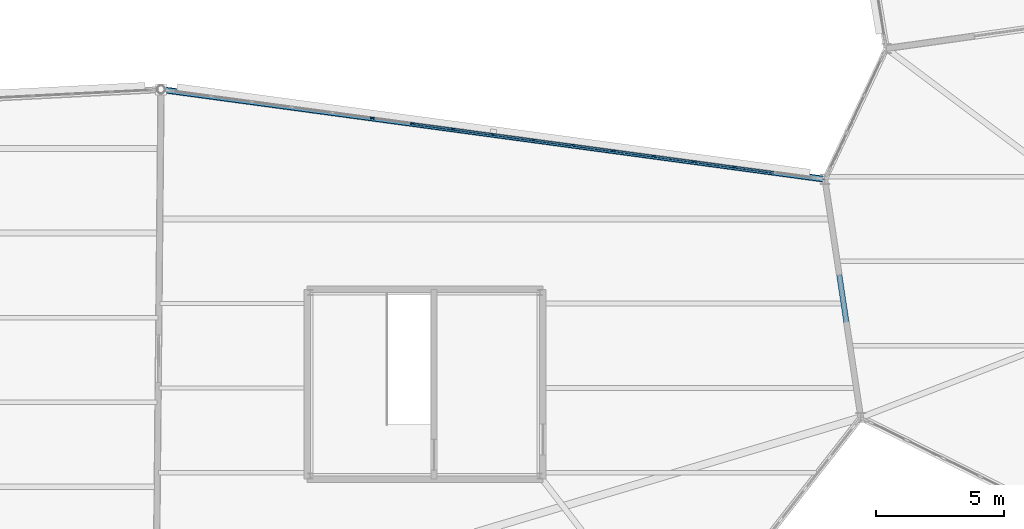
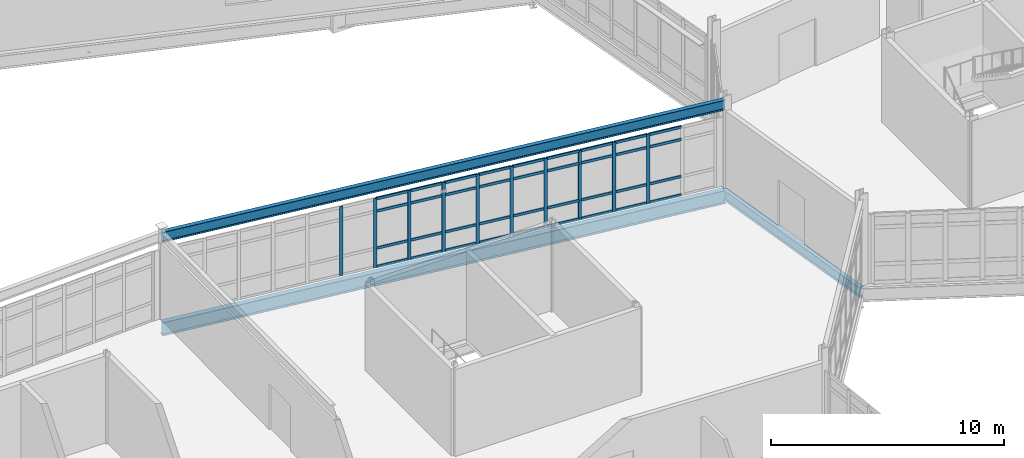
# One storey, part 34 of 134: 46 members, 3 beams, 1 element without a shape of its own.
"""IFC4 building model written with IfcOpenShell, lengths in metres."""

from ifc_helpers import new_model, si_unit, direction, frame, origin, origin_2d, place, context, subcontext, project, spatial, rectangle, i_section, extrude, material, material_profile, profile_set, type_object, element, aggregate, save


model = new_model("IFC4")

# Units and contexts
model_context = context("Model", 3, precision=1e-05, world=origin(), true_north=direction((0.0, 1.0)))
body_context = subcontext(model_context, "Body", "Model", "MODEL_VIEW")
ifc_project = project(units=[si_unit("LENGTHUNIT", "METRE"), si_unit("AREAUNIT", "SQUARE_METRE"), si_unit("VOLUMEUNIT", "CUBIC_METRE"), si_unit("PLANEANGLEUNIT", "RADIAN"), si_unit("MASSUNIT", "GRAM", prefix="KILO")], contexts=[model_context])

# Site, building, storey
site_placement = place(None, origin())
site = spatial("IfcSite", under=ifc_project, at=site_placement, CompositionType="ELEMENT")
building_placement = place(site_placement, origin())
building = spatial("IfcBuilding", under=site, at=building_placement, Name="Tameran Prism Museum", CompositionType="ELEMENT")
storey_placement = place(building_placement, frame((0.0, 0.0, 5.39990234375)))
storey = spatial("IfcBuildingStorey", under=building, at=storey_placement, Name="L01", CompositionType="ELEMENT", Elevation=5.39990234375)

# Beams
ifc_material_1 = material(Name="Steel Grade 300PLUS (300 MPa)", Category="steel")
ifc_material_profile_1 = material_profile(ifc_material_1, i_section(OverallWidth=0.208984375, OverallDepth=0.532958984375, WebThickness=0.01025390625, FlangeThickness=0.015625, FilletRadius=0.013916015625, at=origin_2d()))
ifc_profile_set_1 = profile_set([ifc_material_profile_1])
beam_type_1 = type_object("IfcBeamType", Name="BM-SP530A", PredefinedType="SPANDREL", material=ifc_profile_set_1)
beam_1_placement = place(storey_placement, frame((49.60009765625, 39.5, -0.46630859375), z_axis=(0.148849460064, -0.988859867847, 0.0), x_axis=(0.988859867847, 0.148849460064, 0.0)))
element("IfcBeam", 1, at=beam_1_placement, inside=storey, type_object=beam_type_1, Name="Perimeter Spandrel SP-0345", PredefinedType="SPANDREL", context=body_context, shape_type="SweptSolid", body=[
    extrude(i_section(OverallWidth=0.208984375, OverallDepth=0.532958984375, WebThickness=0.01025390625, FlangeThickness=0.015625, FilletRadius=0.013916015625, at=origin_2d()), origin(), (0.0, 0.0, 1.0), 9.40478515625),
])
ifc_material_2 = material(Name="Steel Grade 300PLUS (300 MPa)", Category="steel")
ifc_material_profile_2 = material_profile(ifc_material_2, i_section(OverallWidth=0.208984375, OverallDepth=0.528076171875, WebThickness=0.009521484375, FlangeThickness=0.01318359375, FilletRadius=0.013916015625, at=origin_2d()))
ifc_profile_set_2 = profile_set([ifc_material_profile_2])
beam_type_2 = type_object("IfcBeamType", Name="BM-SP530B", PredefinedType="SPANDREL", material=ifc_profile_set_2)
beam_2_placement = place(storey_placement, frame((49.60009765625, 39.5, 4.256103515625), z_axis=(-0.990992530926, 0.13391715218, 0.0), x_axis=(-0.13391715218, -0.990992530926, 0.0)))
element("IfcBeam", 2, at=beam_2_placement, inside=storey, type_object=beam_type_2, Name="Roof Ring Beam RB-0408", PredefinedType="SPANDREL", context=body_context, shape_type="SweptSolid", body=[
    extrude(i_section(OverallWidth=0.208984375, OverallDepth=0.528076171875, WebThickness=0.009521484375, FlangeThickness=0.01318359375, FilletRadius=0.013916015625, at=origin_2d()), origin(), (0.0, 0.0, 1.0), 26.135498046875),
])
ifc_material_3 = material(Name="Steel Grade 350 (350 MPa)", Category="steel")
ifc_material_profile_3 = material_profile(ifc_material_3, i_section(OverallWidth=0.25, OverallDepth=0.699951171875, WebThickness=0.010009765625, FlangeThickness=0.02001953125, at=origin_2d()))
ifc_profile_set_3 = profile_set([ifc_material_profile_3])
beam_type_3 = type_object("IfcBeamType", Name="BM-SP700", PredefinedType="SPANDREL", material=ifc_profile_set_3)
beam_3_placement = place(storey_placement, frame((49.60009765625, 39.5, -0.5498046875), z_axis=(-0.990992530926, 0.13391715218, 0.0), x_axis=(-0.13391715218, -0.990992530926, 0.0)))
element("IfcBeam", 3, at=beam_3_placement, inside=storey, type_object=beam_type_3, Name="Perimeter Spandrel SP-0406", PredefinedType="SPANDREL", context=body_context, shape_type="SweptSolid", body=[
    extrude(i_section(OverallWidth=0.25, OverallDepth=0.699951171875, WebThickness=0.010009765625, FlangeThickness=0.02001953125, at=origin_2d()), origin(), (0.0, 0.0, 1.0), 26.135498046875),
])

# Curtain wall, members
ifc_material_4 = material(Name="Anodised Aluminium 6063-T6 and Cyclone Solar Glass", Category="aluminium")
curtain_wall_type = type_object("IfcCurtainWallType", Name="CW-FAC-2532x362", PredefinedType="USERDEFINED", material=ifc_material_4)
curtain_wall_placement = place(storey_placement, origin())
curtain_wall = element("IfcCurtainWall", 4, at=curtain_wall_placement, inside=storey, type_object=curtain_wall_type, Name="Unitised Curtain Wall CW-091", ObjectType="UNITISED CURTAIN WALL", PredefinedType="USERDEFINED")
ifc_material_5 = material(Name="Anodised Aluminium Alloy 6063-T6", Category="aluminium")
ifc_material_profile_4 = material_profile(ifc_material_5, rectangle(XDim=0.06494140625, YDim=0.159912109375, at=origin_2d()))
ifc_profile_set_4 = profile_set([ifc_material_profile_4])
member_type_1 = type_object("IfcMemberType", Name="CW-MUL-A", PredefinedType="MULLION", material=ifc_profile_set_4)
member_1_placement = place(storey_placement, frame((31.94677734375, 41.8857421875, 0.0), z_axis=(0.0, 0.0, 1.0), x_axis=(0.133912653592, 0.99099313883, 0.0)))
member_1 = element("IfcMember", 5, at=member_1_placement, type_object=member_type_1, Name="CW-091 mullion 6", PredefinedType="MULLION", context=body_context, shape_type="SweptSolid", body=[
    extrude(rectangle(XDim=0.06494140625, YDim=0.159912109375, at=origin_2d()), origin(), (0.0, 0.0, 1.0), 3.6201171875),
])
member_2_placement = place(storey_placement, frame((33.5146484375, 41.673828125, 0.0), z_axis=(0.0, 0.0, 1.0), x_axis=(0.133912653592, 0.99099313883, 0.0)))
member_2 = element("IfcMember", 6, at=member_2_placement, type_object=member_type_1, Name="CW-091 mullion 7", PredefinedType="MULLION", context=body_context, shape_type="SweptSolid", body=[
    extrude(rectangle(XDim=0.06494140625, YDim=0.159912109375, at=origin_2d()), origin(), (0.0, 0.0, 1.0), 3.6201171875),
])
member_3_placement = place(storey_placement, frame((35.08251953125, 41.4619140625, 0.0), z_axis=(0.0, 0.0, 1.0), x_axis=(0.133912653592, 0.99099313883, 0.0)))
member_3 = element("IfcMember", 7, at=member_3_placement, type_object=member_type_1, Name="CW-091 mullion 8", PredefinedType="MULLION", context=body_context, shape_type="SweptSolid", body=[
    extrude(rectangle(XDim=0.06494140625, YDim=0.159912109375, at=origin_2d()), origin(), (0.0, 0.0, 1.0), 3.6201171875),
])
member_4_placement = place(storey_placement, frame((36.650390625, 41.25, 0.0), z_axis=(0.0, 0.0, 1.0), x_axis=(0.133912653592, 0.99099313883, 0.0)))
member_4 = element("IfcMember", 8, at=member_4_placement, type_object=member_type_1, Name="CW-091 mullion 9", PredefinedType="MULLION", context=body_context, shape_type="SweptSolid", body=[
    extrude(rectangle(XDim=0.06494140625, YDim=0.159912109375, at=origin_2d()), origin(), (0.0, 0.0, 1.0), 3.6201171875),
])
member_5_placement = place(storey_placement, frame((38.218505859375, 41.0380859375, 0.0), z_axis=(0.0, 0.0, 1.0), x_axis=(0.133912653592, 0.99099313883, 0.0)))
member_5 = element("IfcMember", 9, at=member_5_placement, type_object=member_type_1, Name="CW-091 mullion 10", PredefinedType="MULLION", context=body_context, shape_type="SweptSolid", body=[
    extrude(rectangle(XDim=0.06494140625, YDim=0.159912109375, at=origin_2d()), origin(), (0.0, 0.0, 1.0), 3.6201171875),
])
member_6_placement = place(storey_placement, frame((39.786376953125, 40.826171875, 0.0), z_axis=(0.0, 0.0, 1.0), x_axis=(0.133912653592, 0.99099313883, 0.0)))
member_6 = element("IfcMember", 10, at=member_6_placement, type_object=member_type_1, Name="CW-091 mullion 11", PredefinedType="MULLION", context=body_context, shape_type="SweptSolid", body=[
    extrude(rectangle(XDim=0.06494140625, YDim=0.159912109375, at=origin_2d()), origin(), (0.0, 0.0, 1.0), 3.6201171875),
])
member_7_placement = place(storey_placement, frame((41.354248046875, 40.6142578125, 0.0), z_axis=(0.0, 0.0, 1.0), x_axis=(0.133912653592, 0.99099313883, 0.0)))
member_7 = element("IfcMember", 11, at=member_7_placement, type_object=member_type_1, Name="CW-091 mullion 12", PredefinedType="MULLION", context=body_context, shape_type="SweptSolid", body=[
    extrude(rectangle(XDim=0.06494140625, YDim=0.159912109375, at=origin_2d()), origin(), (0.0, 0.0, 1.0), 3.6201171875),
])
member_8_placement = place(storey_placement, frame((42.92236328125, 40.402587890625, 0.0), z_axis=(0.0, 0.0, 1.0), x_axis=(0.133912653592, 0.99099313883, 0.0)))
member_8 = element("IfcMember", 12, at=member_8_placement, type_object=member_type_1, Name="CW-091 mullion 13", PredefinedType="MULLION", context=body_context, shape_type="SweptSolid", body=[
    extrude(rectangle(XDim=0.06494140625, YDim=0.159912109375, at=origin_2d()), origin(), (0.0, 0.0, 1.0), 3.6201171875),
])
member_9_placement = place(storey_placement, frame((44.490234375, 40.190673828125, 0.0), z_axis=(0.0, 0.0, 1.0), x_axis=(0.133912653592, 0.99099313883, 0.0)))
member_9 = element("IfcMember", 13, at=member_9_placement, type_object=member_type_1, Name="CW-091 mullion 14", PredefinedType="MULLION", context=body_context, shape_type="SweptSolid", body=[
    extrude(rectangle(XDim=0.06494140625, YDim=0.159912109375, at=origin_2d()), origin(), (0.0, 0.0, 1.0), 3.6201171875),
])
member_10_placement = place(storey_placement, frame((46.05810546875, 39.978759765625, 0.0), z_axis=(0.0, 0.0, 1.0), x_axis=(0.133912653592, 0.99099313883, 0.0)))
member_10 = element("IfcMember", 14, at=member_10_placement, type_object=member_type_1, Name="CW-091 mullion 15", PredefinedType="MULLION", context=body_context, shape_type="SweptSolid", body=[
    extrude(rectangle(XDim=0.06494140625, YDim=0.159912109375, at=origin_2d()), origin(), (0.0, 0.0, 1.0), 3.6201171875),
])
ifc_material_6 = material(Name="Anodised Aluminium Alloy 6063-T6", Category="aluminium")
ifc_material_profile_5 = material_profile(ifc_material_6, rectangle(XDim=0.06494140625, YDim=0.139892578125, at=origin_2d()))
ifc_profile_set_5 = profile_set([ifc_material_profile_5])
member_type_2 = type_object("IfcMemberType", Name="CW-TRN-A", PredefinedType="USERDEFINED", material=ifc_profile_set_5)
member_11_placement = place(storey_placement, frame((33.546875, 41.66943359375, 0.03271484375), z_axis=(0.990995893383, -0.133892267505, 0.0), x_axis=(0.133892267505, 0.990995893383, 0.0)))
member_11 = element("IfcMember", 15, at=member_11_placement, type_object=member_type_2, Name="CW-091 transom 7.1", ObjectType="TRANSOM", PredefinedType="USERDEFINED", context=body_context, shape_type="SweptSolid", body=[
    extrude(rectangle(XDim=0.06494140625, YDim=0.139892578125, at=origin_2d()), origin(), (0.0, 0.0, 1.0), 1.51708984375),
])
member_12_placement = place(storey_placement, frame((33.546875, 41.66943359375, 1.0), z_axis=(0.990995893383, -0.133892267505, 0.0), x_axis=(0.133892267505, 0.990995893383, 0.0)))
member_12 = element("IfcMember", 16, at=member_12_placement, type_object=member_type_2, Name="CW-091 transom 7.2", ObjectType="TRANSOM", PredefinedType="USERDEFINED", context=body_context, shape_type="SweptSolid", body=[
    extrude(rectangle(XDim=0.06494140625, YDim=0.139892578125, at=origin_2d()), origin(), (0.0, 0.0, 1.0), 1.51708984375),
])
member_13_placement = place(storey_placement, frame((33.546875, 41.66943359375, 2.940185546875), z_axis=(0.990995893383, -0.133892267505, 0.0), x_axis=(0.133892267505, 0.990995893383, 0.0)))
member_13 = element("IfcMember", 17, at=member_13_placement, type_object=member_type_2, Name="CW-091 transom 7.3", ObjectType="TRANSOM", PredefinedType="USERDEFINED", context=body_context, shape_type="SweptSolid", body=[
    extrude(rectangle(XDim=0.06494140625, YDim=0.139892578125, at=origin_2d()), origin(), (0.0, 0.0, 1.0), 1.51708984375),
])
member_14_placement = place(storey_placement, frame((33.546875, 41.66943359375, 3.587646484375), z_axis=(0.990995893383, -0.133892267505, 0.0), x_axis=(0.133892267505, 0.990995893383, 0.0)))
member_14 = element("IfcMember", 18, at=member_14_placement, type_object=member_type_2, Name="CW-091 transom 7.4", ObjectType="TRANSOM", PredefinedType="USERDEFINED", context=body_context, shape_type="SweptSolid", body=[
    extrude(rectangle(XDim=0.06494140625, YDim=0.139892578125, at=origin_2d()), origin(), (0.0, 0.0, 1.0), 1.51708984375),
])
member_15_placement = place(storey_placement, frame((35.11474609375, 41.45751953125, 0.03271484375), z_axis=(0.990998777676, -0.133870917848, 0.0), x_axis=(0.133870917848, 0.990998777676, 0.0)))
member_15 = element("IfcMember", 19, at=member_15_placement, type_object=member_type_2, Name="CW-091 transom 8.1", ObjectType="TRANSOM", PredefinedType="USERDEFINED", context=body_context, shape_type="SweptSolid", body=[
    extrude(rectangle(XDim=0.06494140625, YDim=0.139892578125, at=origin_2d()), origin(), (0.0, 0.0, 1.0), 1.517333984375),
])
member_16_placement = place(storey_placement, frame((35.11474609375, 41.45751953125, 1.0), z_axis=(0.990998777676, -0.133870917848, 0.0), x_axis=(0.133870917848, 0.990998777676, 0.0)))
member_16 = element("IfcMember", 20, at=member_16_placement, type_object=member_type_2, Name="CW-091 transom 8.2", ObjectType="TRANSOM", PredefinedType="USERDEFINED", context=body_context, shape_type="SweptSolid", body=[
    extrude(rectangle(XDim=0.06494140625, YDim=0.139892578125, at=origin_2d()), origin(), (0.0, 0.0, 1.0), 1.517333984375),
])
member_17_placement = place(storey_placement, frame((35.11474609375, 41.45751953125, 2.940185546875), z_axis=(0.990998777676, -0.133870917848, 0.0), x_axis=(0.133870917848, 0.990998777676, 0.0)))
member_17 = element("IfcMember", 21, at=member_17_placement, type_object=member_type_2, Name="CW-091 transom 8.3", ObjectType="TRANSOM", PredefinedType="USERDEFINED", context=body_context, shape_type="SweptSolid", body=[
    extrude(rectangle(XDim=0.06494140625, YDim=0.139892578125, at=origin_2d()), origin(), (0.0, 0.0, 1.0), 1.517333984375),
])
member_18_placement = place(storey_placement, frame((35.11474609375, 41.45751953125, 3.587646484375), z_axis=(0.990998777676, -0.133870917848, 0.0), x_axis=(0.133870917848, 0.990998777676, 0.0)))
member_18 = element("IfcMember", 22, at=member_18_placement, type_object=member_type_2, Name="CW-091 transom 8.4", ObjectType="TRANSOM", PredefinedType="USERDEFINED", context=body_context, shape_type="SweptSolid", body=[
    extrude(rectangle(XDim=0.06494140625, YDim=0.139892578125, at=origin_2d()), origin(), (0.0, 0.0, 1.0), 1.517333984375),
])
member_19_placement = place(storey_placement, frame((36.6826171875, 41.24560546875, 0.03271484375), z_axis=(0.990998777676, -0.133870917848, 0.0), x_axis=(0.133870917848, 0.990998777676, 0.0)))
member_19 = element("IfcMember", 23, at=member_19_placement, type_object=member_type_2, Name="CW-091 transom 9.1", ObjectType="TRANSOM", PredefinedType="USERDEFINED", context=body_context, shape_type="SweptSolid", body=[
    extrude(rectangle(XDim=0.06494140625, YDim=0.139892578125, at=origin_2d()), origin(), (0.0, 0.0, 1.0), 1.517333984375),
])
member_20_placement = place(storey_placement, frame((36.6826171875, 41.24560546875, 1.0), z_axis=(0.990998777676, -0.133870917848, 0.0), x_axis=(0.133870917848, 0.990998777676, 0.0)))
member_20 = element("IfcMember", 24, at=member_20_placement, type_object=member_type_2, Name="CW-091 transom 9.2", ObjectType="TRANSOM", PredefinedType="USERDEFINED", context=body_context, shape_type="SweptSolid", body=[
    extrude(rectangle(XDim=0.06494140625, YDim=0.139892578125, at=origin_2d()), origin(), (0.0, 0.0, 1.0), 1.517333984375),
])
member_21_placement = place(storey_placement, frame((36.6826171875, 41.24560546875, 2.940185546875), z_axis=(0.990998777676, -0.133870917848, 0.0), x_axis=(0.133870917848, 0.990998777676, 0.0)))
member_21 = element("IfcMember", 25, at=member_21_placement, type_object=member_type_2, Name="CW-091 transom 9.3", ObjectType="TRANSOM", PredefinedType="USERDEFINED", context=body_context, shape_type="SweptSolid", body=[
    extrude(rectangle(XDim=0.06494140625, YDim=0.139892578125, at=origin_2d()), origin(), (0.0, 0.0, 1.0), 1.517333984375),
])
member_22_placement = place(storey_placement, frame((36.6826171875, 41.24560546875, 3.587646484375), z_axis=(0.990998777676, -0.133870917848, 0.0), x_axis=(0.133870917848, 0.990998777676, 0.0)))
member_22 = element("IfcMember", 26, at=member_22_placement, type_object=member_type_2, Name="CW-091 transom 9.4", ObjectType="TRANSOM", PredefinedType="USERDEFINED", context=body_context, shape_type="SweptSolid", body=[
    extrude(rectangle(XDim=0.06494140625, YDim=0.139892578125, at=origin_2d()), origin(), (0.0, 0.0, 1.0), 1.517333984375),
])
member_23_placement = place(storey_placement, frame((38.250732421875, 41.03369140625, 0.03271484375), z_axis=(0.990995893383, -0.133892267505, 0.0), x_axis=(0.133892267505, 0.990995893383, 0.0)))
member_23 = element("IfcMember", 27, at=member_23_placement, type_object=member_type_2, Name="CW-091 transom 10.1", ObjectType="TRANSOM", PredefinedType="USERDEFINED", context=body_context, shape_type="SweptSolid", body=[
    extrude(rectangle(XDim=0.06494140625, YDim=0.139892578125, at=origin_2d()), origin(), (0.0, 0.0, 1.0), 1.51708984375),
])
member_24_placement = place(storey_placement, frame((38.250732421875, 41.03369140625, 1.0), z_axis=(0.990995893383, -0.133892267505, 0.0), x_axis=(0.133892267505, 0.990995893383, 0.0)))
member_24 = element("IfcMember", 28, at=member_24_placement, type_object=member_type_2, Name="CW-091 transom 10.2", ObjectType="TRANSOM", PredefinedType="USERDEFINED", context=body_context, shape_type="SweptSolid", body=[
    extrude(rectangle(XDim=0.06494140625, YDim=0.139892578125, at=origin_2d()), origin(), (0.0, 0.0, 1.0), 1.51708984375),
])
member_25_placement = place(storey_placement, frame((38.250732421875, 41.03369140625, 2.940185546875), z_axis=(0.990995893383, -0.133892267505, 0.0), x_axis=(0.133892267505, 0.990995893383, 0.0)))
member_25 = element("IfcMember", 29, at=member_25_placement, type_object=member_type_2, Name="CW-091 transom 10.3", ObjectType="TRANSOM", PredefinedType="USERDEFINED", context=body_context, shape_type="SweptSolid", body=[
    extrude(rectangle(XDim=0.06494140625, YDim=0.139892578125, at=origin_2d()), origin(), (0.0, 0.0, 1.0), 1.51708984375),
])
member_26_placement = place(storey_placement, frame((38.250732421875, 41.03369140625, 3.587646484375), z_axis=(0.990995893383, -0.133892267505, 0.0), x_axis=(0.133892267505, 0.990995893383, 0.0)))
member_26 = element("IfcMember", 30, at=member_26_placement, type_object=member_type_2, Name="CW-091 transom 10.4", ObjectType="TRANSOM", PredefinedType="USERDEFINED", context=body_context, shape_type="SweptSolid", body=[
    extrude(rectangle(XDim=0.06494140625, YDim=0.139892578125, at=origin_2d()), origin(), (0.0, 0.0, 1.0), 1.51708984375),
])
member_27_placement = place(storey_placement, frame((39.818603515625, 40.82177734375, 0.03271484375), z_axis=(0.990995893383, -0.133892267505, 0.0), x_axis=(0.133892267505, 0.990995893383, 0.0)))
member_27 = element("IfcMember", 31, at=member_27_placement, type_object=member_type_2, Name="CW-091 transom 11.1", ObjectType="TRANSOM", PredefinedType="USERDEFINED", context=body_context, shape_type="SweptSolid", body=[
    extrude(rectangle(XDim=0.06494140625, YDim=0.139892578125, at=origin_2d()), origin(), (0.0, 0.0, 1.0), 1.51708984375),
])
member_28_placement = place(storey_placement, frame((39.818603515625, 40.82177734375, 1.0), z_axis=(0.990995893383, -0.133892267505, 0.0), x_axis=(0.133892267505, 0.990995893383, 0.0)))
member_28 = element("IfcMember", 32, at=member_28_placement, type_object=member_type_2, Name="CW-091 transom 11.2", ObjectType="TRANSOM", PredefinedType="USERDEFINED", context=body_context, shape_type="SweptSolid", body=[
    extrude(rectangle(XDim=0.06494140625, YDim=0.139892578125, at=origin_2d()), origin(), (0.0, 0.0, 1.0), 1.51708984375),
])
member_29_placement = place(storey_placement, frame((39.818603515625, 40.82177734375, 2.940185546875), z_axis=(0.990995893383, -0.133892267505, 0.0), x_axis=(0.133892267505, 0.990995893383, 0.0)))
member_29 = element("IfcMember", 33, at=member_29_placement, type_object=member_type_2, Name="CW-091 transom 11.3", ObjectType="TRANSOM", PredefinedType="USERDEFINED", context=body_context, shape_type="SweptSolid", body=[
    extrude(rectangle(XDim=0.06494140625, YDim=0.139892578125, at=origin_2d()), origin(), (0.0, 0.0, 1.0), 1.51708984375),
])
member_30_placement = place(storey_placement, frame((39.818603515625, 40.82177734375, 3.587646484375), z_axis=(0.990995893383, -0.133892267505, 0.0), x_axis=(0.133892267505, 0.990995893383, 0.0)))
member_30 = element("IfcMember", 34, at=member_30_placement, type_object=member_type_2, Name="CW-091 transom 11.4", ObjectType="TRANSOM", PredefinedType="USERDEFINED", context=body_context, shape_type="SweptSolid", body=[
    extrude(rectangle(XDim=0.06494140625, YDim=0.139892578125, at=origin_2d()), origin(), (0.0, 0.0, 1.0), 1.51708984375),
])
member_31_placement = place(storey_placement, frame((41.386474609375, 40.610107421875, 0.03271484375), z_axis=(0.990977419254, -0.134028931684, 0.0), x_axis=(0.134028931684, 0.990977419254, 0.0)))
member_31 = element("IfcMember", 35, at=member_31_placement, type_object=member_type_2, Name="CW-091 transom 12.1", ObjectType="TRANSOM", PredefinedType="USERDEFINED", context=body_context, shape_type="SweptSolid", body=[
    extrude(rectangle(XDim=0.06494140625, YDim=0.139892578125, at=origin_2d()), origin(), (0.0, 0.0, 1.0), 1.517333984375),
])
member_32_placement = place(storey_placement, frame((41.386474609375, 40.610107421875, 1.0), z_axis=(0.990977419254, -0.134028931684, 0.0), x_axis=(0.134028931684, 0.990977419254, 0.0)))
member_32 = element("IfcMember", 36, at=member_32_placement, type_object=member_type_2, Name="CW-091 transom 12.2", ObjectType="TRANSOM", PredefinedType="USERDEFINED", context=body_context, shape_type="SweptSolid", body=[
    extrude(rectangle(XDim=0.06494140625, YDim=0.139892578125, at=origin_2d()), origin(), (0.0, 0.0, 1.0), 1.517333984375),
])
member_33_placement = place(storey_placement, frame((41.386474609375, 40.610107421875, 2.940185546875), z_axis=(0.990977419254, -0.134028931684, 0.0), x_axis=(0.134028931684, 0.990977419254, 0.0)))
member_33 = element("IfcMember", 37, at=member_33_placement, type_object=member_type_2, Name="CW-091 transom 12.3", ObjectType="TRANSOM", PredefinedType="USERDEFINED", context=body_context, shape_type="SweptSolid", body=[
    extrude(rectangle(XDim=0.06494140625, YDim=0.139892578125, at=origin_2d()), origin(), (0.0, 0.0, 1.0), 1.517333984375),
])
member_34_placement = place(storey_placement, frame((41.386474609375, 40.610107421875, 3.587646484375), z_axis=(0.990977419254, -0.134028931684, 0.0), x_axis=(0.134028931684, 0.990977419254, 0.0)))
member_34 = element("IfcMember", 38, at=member_34_placement, type_object=member_type_2, Name="CW-091 transom 12.4", ObjectType="TRANSOM", PredefinedType="USERDEFINED", context=body_context, shape_type="SweptSolid", body=[
    extrude(rectangle(XDim=0.06494140625, YDim=0.139892578125, at=origin_2d()), origin(), (0.0, 0.0, 1.0), 1.517333984375),
])
member_35_placement = place(storey_placement, frame((42.954345703125, 40.398193359375, 0.03271484375), z_axis=(0.990998777676, -0.133870917848, 0.0), x_axis=(0.133870917848, 0.990998777676, 0.0)))
member_35 = element("IfcMember", 39, at=member_35_placement, type_object=member_type_2, Name="CW-091 transom 13.1", ObjectType="TRANSOM", PredefinedType="USERDEFINED", context=body_context, shape_type="SweptSolid", body=[
    extrude(rectangle(XDim=0.06494140625, YDim=0.139892578125, at=origin_2d()), origin(), (0.0, 0.0, 1.0), 1.517333984375),
])
member_36_placement = place(storey_placement, frame((42.954345703125, 40.398193359375, 1.0), z_axis=(0.990998777676, -0.133870917848, 0.0), x_axis=(0.133870917848, 0.990998777676, 0.0)))
member_36 = element("IfcMember", 40, at=member_36_placement, type_object=member_type_2, Name="CW-091 transom 13.2", ObjectType="TRANSOM", PredefinedType="USERDEFINED", context=body_context, shape_type="SweptSolid", body=[
    extrude(rectangle(XDim=0.06494140625, YDim=0.139892578125, at=origin_2d()), origin(), (0.0, 0.0, 1.0), 1.517333984375),
])
member_37_placement = place(storey_placement, frame((42.954345703125, 40.398193359375, 2.940185546875), z_axis=(0.990998777676, -0.133870917848, 0.0), x_axis=(0.133870917848, 0.990998777676, 0.0)))
member_37 = element("IfcMember", 41, at=member_37_placement, type_object=member_type_2, Name="CW-091 transom 13.3", ObjectType="TRANSOM", PredefinedType="USERDEFINED", context=body_context, shape_type="SweptSolid", body=[
    extrude(rectangle(XDim=0.06494140625, YDim=0.139892578125, at=origin_2d()), origin(), (0.0, 0.0, 1.0), 1.517333984375),
])
member_38_placement = place(storey_placement, frame((42.954345703125, 40.398193359375, 3.587646484375), z_axis=(0.990998777676, -0.133870917848, 0.0), x_axis=(0.133870917848, 0.990998777676, 0.0)))
member_38 = element("IfcMember", 42, at=member_38_placement, type_object=member_type_2, Name="CW-091 transom 13.4", ObjectType="TRANSOM", PredefinedType="USERDEFINED", context=body_context, shape_type="SweptSolid", body=[
    extrude(rectangle(XDim=0.06494140625, YDim=0.139892578125, at=origin_2d()), origin(), (0.0, 0.0, 1.0), 1.517333984375),
])
member_39_placement = place(storey_placement, frame((44.5224609375, 40.186279296875, 0.03271484375), z_axis=(0.990995893383, -0.133892267505, 0.0), x_axis=(0.133892267505, 0.990995893383, 0.0)))
member_39 = element("IfcMember", 43, at=member_39_placement, type_object=member_type_2, Name="CW-091 transom 14.1", ObjectType="TRANSOM", PredefinedType="USERDEFINED", context=body_context, shape_type="SweptSolid", body=[
    extrude(rectangle(XDim=0.06494140625, YDim=0.139892578125, at=origin_2d()), origin(), (0.0, 0.0, 1.0), 1.51708984375),
])
member_40_placement = place(storey_placement, frame((44.5224609375, 40.186279296875, 1.0), z_axis=(0.990995893383, -0.133892267505, 0.0), x_axis=(0.133892267505, 0.990995893383, 0.0)))
member_40 = element("IfcMember", 44, at=member_40_placement, type_object=member_type_2, Name="CW-091 transom 14.2", ObjectType="TRANSOM", PredefinedType="USERDEFINED", context=body_context, shape_type="SweptSolid", body=[
    extrude(rectangle(XDim=0.06494140625, YDim=0.139892578125, at=origin_2d()), origin(), (0.0, 0.0, 1.0), 1.51708984375),
])
member_41_placement = place(storey_placement, frame((44.5224609375, 40.186279296875, 2.940185546875), z_axis=(0.990995893383, -0.133892267505, 0.0), x_axis=(0.133892267505, 0.990995893383, 0.0)))
member_41 = element("IfcMember", 45, at=member_41_placement, type_object=member_type_2, Name="CW-091 transom 14.3", ObjectType="TRANSOM", PredefinedType="USERDEFINED", context=body_context, shape_type="SweptSolid", body=[
    extrude(rectangle(XDim=0.06494140625, YDim=0.139892578125, at=origin_2d()), origin(), (0.0, 0.0, 1.0), 1.51708984375),
])
member_42_placement = place(storey_placement, frame((44.5224609375, 40.186279296875, 3.587646484375), z_axis=(0.990995893383, -0.133892267505, 0.0), x_axis=(0.133892267505, 0.990995893383, 0.0)))
member_42 = element("IfcMember", 46, at=member_42_placement, type_object=member_type_2, Name="CW-091 transom 14.4", ObjectType="TRANSOM", PredefinedType="USERDEFINED", context=body_context, shape_type="SweptSolid", body=[
    extrude(rectangle(XDim=0.06494140625, YDim=0.139892578125, at=origin_2d()), origin(), (0.0, 0.0, 1.0), 1.51708984375),
])
member_43_placement = place(storey_placement, frame((46.09033203125, 39.974365234375, 0.03271484375), z_axis=(0.990995893383, -0.133892267505, 0.0), x_axis=(0.133892267505, 0.990995893383, 0.0)))
member_43 = element("IfcMember", 47, at=member_43_placement, type_object=member_type_2, Name="CW-091 transom 15.1", ObjectType="TRANSOM", PredefinedType="USERDEFINED", context=body_context, shape_type="SweptSolid", body=[
    extrude(rectangle(XDim=0.06494140625, YDim=0.139892578125, at=origin_2d()), origin(), (0.0, 0.0, 1.0), 1.51708984375),
])
member_44_placement = place(storey_placement, frame((46.09033203125, 39.974365234375, 1.0), z_axis=(0.990995893383, -0.133892267505, 0.0), x_axis=(0.133892267505, 0.990995893383, 0.0)))
member_44 = element("IfcMember", 48, at=member_44_placement, type_object=member_type_2, Name="CW-091 transom 15.2", ObjectType="TRANSOM", PredefinedType="USERDEFINED", context=body_context, shape_type="SweptSolid", body=[
    extrude(rectangle(XDim=0.06494140625, YDim=0.139892578125, at=origin_2d()), origin(), (0.0, 0.0, 1.0), 1.51708984375),
])
member_45_placement = place(storey_placement, frame((46.09033203125, 39.974365234375, 2.940185546875), z_axis=(0.990995893383, -0.133892267505, 0.0), x_axis=(0.133892267505, 0.990995893383, 0.0)))
member_45 = element("IfcMember", 49, at=member_45_placement, type_object=member_type_2, Name="CW-091 transom 15.3", ObjectType="TRANSOM", PredefinedType="USERDEFINED", context=body_context, shape_type="SweptSolid", body=[
    extrude(rectangle(XDim=0.06494140625, YDim=0.139892578125, at=origin_2d()), origin(), (0.0, 0.0, 1.0), 1.51708984375),
])
member_46_placement = place(storey_placement, frame((46.09033203125, 39.974365234375, 3.587646484375), z_axis=(0.990995893383, -0.133892267505, 0.0), x_axis=(0.133892267505, 0.990995893383, 0.0)))
member_46 = element("IfcMember", 50, at=member_46_placement, type_object=member_type_2, Name="CW-091 transom 15.4", ObjectType="TRANSOM", PredefinedType="USERDEFINED", context=body_context, shape_type="SweptSolid", body=[
    extrude(rectangle(XDim=0.06494140625, YDim=0.139892578125, at=origin_2d()), origin(), (0.0, 0.0, 1.0), 1.51708984375),
])
aggregate(curtain_wall, [member_1, member_2, member_3, member_4, member_5, member_6, member_7, member_8, member_9, member_10, member_11, member_12, member_13, member_14, member_15, member_16, member_17, member_18, member_19, member_20, member_21, member_22, member_23, member_24, member_25, member_26, member_27, member_28, member_29, member_30, member_31, member_32, member_33, member_34, member_35, member_36, member_37, member_38, member_39, member_40, member_41, member_42, member_43, member_44, member_45, member_46])

save(model, "model.ifc")
